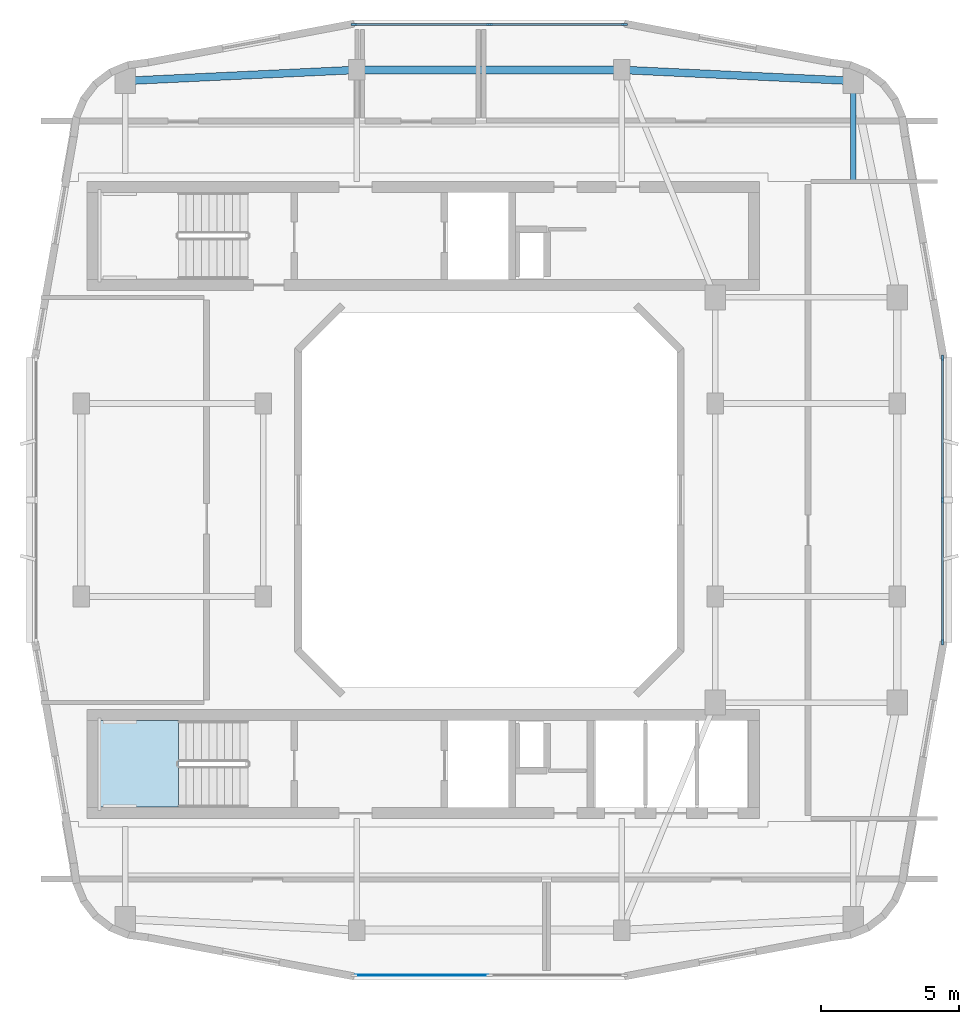
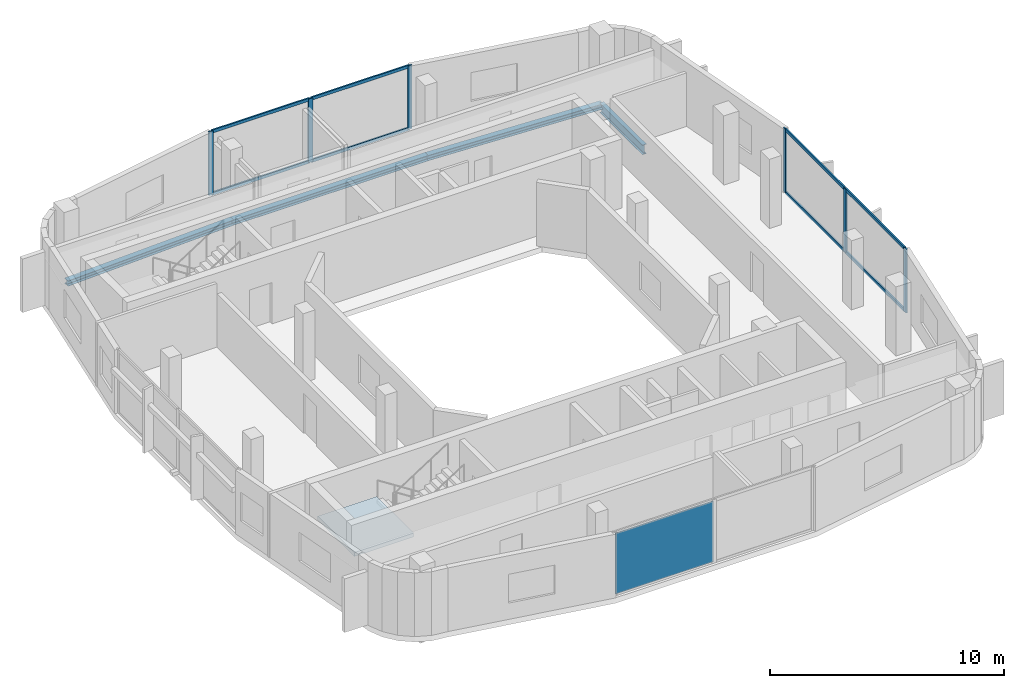
# One storey, part 2 of 8: 14 members, 4 beams, 1 plate, 1 slab, 4 elements without a shape of their own.
"""IFC4 building model written with IfcOpenShell, lengths in metres."""

from ifc_helpers import new_model, si_unit, derived_unit, direction, frame, origin, origin_2d, place, context, subcontext, project, spatial, polyline, rectangle, i_section, outline, extrude, material, layer, layer_set, material_profile, profile_set, type_object, element, aggregate, save


model = new_model("IFC4")

# Units and contexts
model_context = context("Model", 3, precision=1e-05, world=origin(), true_north=direction((0.0, 1.0)))
body_context = subcontext(model_context, "Body", "Model", "MODEL_VIEW")
ifc_project = project(units=[si_unit("LENGTHUNIT", "METRE"), si_unit("AREAUNIT", "SQUARE_METRE"), si_unit("VOLUMEUNIT", "CUBIC_METRE"), si_unit("PLANEANGLEUNIT", "RADIAN"), si_unit("MASSUNIT", "GRAM", prefix="KILO"), derived_unit("THERMALTRANSMITTANCEUNIT", [(si_unit("POWERUNIT", "WATT"), 1), (si_unit("LENGTHUNIT", "METRE"), -2), (si_unit("THERMODYNAMICTEMPERATUREUNIT", "KELVIN"), -1)])], contexts=[model_context])

# Site, building, storey
site_placement = place(None, origin())
site = spatial("IfcSite", under=ifc_project, at=site_placement, CompositionType="ELEMENT")
building_placement = place(site_placement, origin())
building = spatial("IfcBuilding", under=site, at=building_placement, Name="Kivonza Crest Hotel", CompositionType="ELEMENT")
storey_placement = place(building_placement, frame((0.0, 0.0, 268.39990234375)))
storey = spatial("IfcBuildingStorey", under=building, at=storey_placement, Name="L73", CompositionType="ELEMENT", Elevation=268.39990234375)

# Beams
ifc_material_1 = material(Name="Steel S355", Category="steel")
ifc_material_profile_1 = material_profile(ifc_material_1, i_section(OverallWidth=0.280029296875, OverallDepth=0.280029296875, WebThickness=0.010498046875, FlangeThickness=0.01806640625, FilletRadius=0.02392578125, at=origin_2d()), Name="HEB 280")
ifc_profile_set_1 = profile_set([ifc_material_profile_1], Name="Steel S355")
beam_type_1 = type_object("IfcBeamType", Name="BM-HEB280", PredefinedType="SPANDREL", material=ifc_profile_set_1)
beam_1_placement = place(storey_placement, frame((34.199951171875, 40.199951171875, -0.419921875), z_axis=(-0.998867283688, 0.047583080799, 0.0), x_axis=(-0.047583080799, -0.998867283688, 0.0)))
element("IfcBeam", 1, at=beam_1_placement, inside=storey, type_object=beam_type_1, Name="Tower T1 L73 perimeter spandrel NE-N2", PredefinedType="SPANDREL", context=body_context, shape_type="SweptSolid", body=[
    extrude(i_section(OverallWidth=0.280029296875, OverallDepth=0.280029296875, WebThickness=0.010498046875, FlangeThickness=0.01806640625, FilletRadius=0.02392578125, at=origin_2d()), origin(), (0.0, 0.0, 1.0), 8.409423828125),
])
beam_2_placement = place(storey_placement, frame((25.800048828125, 40.60009765625, -0.419921875), z_axis=(-1.0, 0.0, 0.0), x_axis=(0.0, -1.0, 0.0)))
element("IfcBeam", 2, at=beam_2_placement, inside=storey, type_object=beam_type_1, Name="Tower T1 L73 perimeter spandrel N2-N1", PredefinedType="SPANDREL", context=body_context, shape_type="SweptSolid", body=[
    extrude(i_section(OverallWidth=0.280029296875, OverallDepth=0.280029296875, WebThickness=0.010498046875, FlangeThickness=0.01806640625, FilletRadius=0.02392578125, at=origin_2d()), origin(), (0.0, 0.0, 1.0), 9.60009765625),
])
beam_3_placement = place(storey_placement, frame((16.199951171875, 40.60009765625, -0.419921875), z_axis=(-0.998867283688, -0.047583080799, 0.0), x_axis=(0.047583080799, -0.998867283688, 0.0)))
element("IfcBeam", 3, at=beam_3_placement, inside=storey, type_object=beam_type_1, Name="Tower T1 L73 perimeter spandrel N1-NW", PredefinedType="SPANDREL", context=body_context, shape_type="SweptSolid", body=[
    extrude(i_section(OverallWidth=0.280029296875, OverallDepth=0.280029296875, WebThickness=0.010498046875, FlangeThickness=0.01806640625, FilletRadius=0.02392578125, at=origin_2d()), origin(), (0.0, 0.0, 1.0), 8.409423828125),
])
ifc_material_profile_2 = material_profile(ifc_material_1, i_section(OverallWidth=0.199951171875, OverallDepth=0.5, WebThickness=0.01025390625, FlangeThickness=0.01611328125, FilletRadius=0.02099609375, at=origin_2d()), Name="IPE 500")
ifc_profile_set_2 = profile_set([ifc_material_profile_2], Name="Steel S355")
beam_type_2 = type_object("IfcBeamType", Name="BM-IPE500", PredefinedType="BEAM", material=ifc_profile_set_2)
beam_4_placement = place(storey_placement, frame((34.199951171875, 40.199951171875, -0.52978515625), z_axis=(0.0, -1.0, 0.0), x_axis=(1.0, 0.0, 0.0)))
element("IfcBeam", 4, at=beam_4_placement, inside=storey, type_object=beam_type_2, Name="Tower T1 L73 radial core girder RNE", PredefinedType="BEAM", context=body_context, shape_type="SweptSolid", body=[
    extrude(i_section(OverallWidth=0.199951171875, OverallDepth=0.5, WebThickness=0.01025390625, FlangeThickness=0.01611328125, FilletRadius=0.02099609375, at=origin_2d()), origin(), (0.0, 0.0, 1.0), 3.64990234375),
])

# Curtain wall, members
ifc_material_2 = material(Name="Anodised bronze aluminium and low-E double glazing", Category="aluminium")
ifc_layer_1 = layer(ifc_material_2, 0.199951171875)
ifc_layer_set_1 = layer_set([ifc_layer_1], Name="Anodised bronze aluminium and low-E double glazing")
curtain_wall_type = type_object("IfcCurtainWallType", Name="CW-SYS-6", PredefinedType="NOTDEFINED", material=ifc_layer_set_1)
curtain_wall_1_placement = place(storey_placement, origin())
curtain_wall_1 = element("IfcCurtainWall", 5, at=curtain_wall_1_placement, inside=storey, type_object=curtain_wall_type, Name="L73 unitised curtain wall CW-T1-L73-17", PredefinedType="NOTDEFINED")
ifc_material_3 = material(Name="Anodised bronze aluminium", Category="aluminium")
ifc_material_profile_3 = material_profile(ifc_material_3, rectangle(XDim=0.074951171875, YDim=0.219970703125, at=origin_2d()), Name="CW-M 75x220")
ifc_profile_set_3 = profile_set([ifc_material_profile_3], Name="Anodised bronze aluminium")
member_type_1 = type_object("IfcMemberType", Name="CW-MUL-75x220", PredefinedType="MULLION", material=ifc_profile_set_3)
member_1_placement = place(storey_placement, frame((37.43994140625, 19.857421875, 0.0), z_axis=(0.0, 0.0, 1.0), x_axis=(-1.0, 0.0, 0.0)))
member_1 = element("IfcMember", 6, at=member_1_placement, type_object=member_type_1, Name="CW-6 mullion 1", PredefinedType="MULLION", context=body_context, shape_type="SweptSolid", body=[
    extrude(rectangle(XDim=0.074951171875, YDim=0.219970703125, at=origin_2d()), origin(), (0.0, 0.0, 1.0), 3.320068359375),
])
member_2_placement = place(storey_placement, frame((37.43994140625, 25.0, 0.0), z_axis=(0.0, 0.0, 1.0), x_axis=(-1.0, 0.0, 0.0)))
member_2 = element("IfcMember", 7, at=member_2_placement, type_object=member_type_1, Name="CW-6 mullion 2", PredefinedType="MULLION", context=body_context, shape_type="SweptSolid", body=[
    extrude(rectangle(XDim=0.074951171875, YDim=0.219970703125, at=origin_2d()), origin(), (0.0, 0.0, 1.0), 3.320068359375),
])
member_3_placement = place(storey_placement, frame((37.43994140625, 30.142578125, 0.0), z_axis=(0.0, 0.0, 1.0), x_axis=(-1.0, 0.0, 0.0)))
member_3 = element("IfcMember", 8, at=member_3_placement, type_object=member_type_1, Name="CW-6 mullion 3", PredefinedType="MULLION", context=body_context, shape_type="SweptSolid", body=[
    extrude(rectangle(XDim=0.074951171875, YDim=0.219970703125, at=origin_2d()), origin(), (0.0, 0.0, 1.0), 3.320068359375),
])

curtain_wall_2_placement = place(storey_placement, origin())
curtain_wall_2 = element("IfcCurtainWall", 9, at=curtain_wall_2_placement, inside=storey, type_object=curtain_wall_type, Name="L73 unitised curtain wall CW-T1-L73-26", PredefinedType="NOTDEFINED")
member_4_placement = place(storey_placement, frame((25.902587890625, 42.239990234375, 0.0), z_axis=(0.0, 0.0, 1.0), x_axis=(0.0, -1.0, 0.0)))
member_4 = element("IfcMember", 10, at=member_4_placement, type_object=member_type_1, Name="CW-6 mullion 1", PredefinedType="MULLION", context=body_context, shape_type="SweptSolid", body=[
    extrude(rectangle(XDim=0.074951171875, YDim=0.219970703125, at=origin_2d()), origin(), (0.0, 0.0, 1.0), 3.320068359375),
])
member_5_placement = place(storey_placement, frame((21.0, 42.239990234375, 0.0), z_axis=(0.0, 0.0, 1.0), x_axis=(0.0, -1.0, 0.0)))
member_5 = element("IfcMember", 11, at=member_5_placement, type_object=member_type_1, Name="CW-6 mullion 2", PredefinedType="MULLION", context=body_context, shape_type="SweptSolid", body=[
    extrude(rectangle(XDim=0.074951171875, YDim=0.219970703125, at=origin_2d()), origin(), (0.0, 0.0, 1.0), 3.320068359375),
])
member_6_placement = place(storey_placement, frame((16.097412109375, 42.239990234375, 0.0), z_axis=(0.0, 0.0, 1.0), x_axis=(0.0, -1.0, 0.0)))
member_6 = element("IfcMember", 12, at=member_6_placement, type_object=member_type_1, Name="CW-6 mullion 3", PredefinedType="MULLION", context=body_context, shape_type="SweptSolid", body=[
    extrude(rectangle(XDim=0.074951171875, YDim=0.219970703125, at=origin_2d()), origin(), (0.0, 0.0, 1.0), 3.320068359375),
])

# Member
ifc_material_profile_4 = material_profile(ifc_material_3, rectangle(XDim=0.074951171875, YDim=0.159912109375, at=origin_2d()), Name="CW-T 75x160")
ifc_profile_set_4 = profile_set([ifc_material_profile_4], Name="Anodised bronze aluminium")
member_type_2 = type_object("IfcMemberType", Name="CW-TRN-75x160", PredefinedType="USERDEFINED", material=ifc_profile_set_4)
member_7_placement = place(storey_placement, frame((37.43994140625, 19.89501953125, 0.03759765625), z_axis=(0.0, 1.0, 0.0), x_axis=(-1.0, 0.0, 0.0)))
member_7 = element("IfcMember", 13, at=member_7_placement, type_object=member_type_2, Name="CW-6 transom 1.1", ObjectType="TRANSOM", PredefinedType="USERDEFINED", context=body_context, shape_type="SweptSolid", body=[
    extrude(rectangle(XDim=0.074951171875, YDim=0.159912109375, at=origin_2d()), origin(), (0.0, 0.0, 1.0), 5.0673828125),
])

member_8_placement = place(storey_placement, frame((37.43994140625, 19.89501953125, 3.28271484375), z_axis=(0.0, 1.0, 0.0), x_axis=(-1.0, 0.0, 0.0)))
member_8 = element("IfcMember", 14, at=member_8_placement, type_object=member_type_2, Name="CW-6 transom 1.2", ObjectType="TRANSOM", PredefinedType="USERDEFINED", context=body_context, shape_type="SweptSolid", body=[
    extrude(rectangle(XDim=0.074951171875, YDim=0.159912109375, at=origin_2d()), origin(), (0.0, 0.0, 1.0), 5.0673828125),
])

member_9_placement = place(storey_placement, frame((37.43994140625, 25.03759765625, 0.03759765625), z_axis=(0.0, 1.0, 0.0), x_axis=(-1.0, 0.0, 0.0)))
member_9 = element("IfcMember", 15, at=member_9_placement, type_object=member_type_2, Name="CW-6 transom 2.1", ObjectType="TRANSOM", PredefinedType="USERDEFINED", context=body_context, shape_type="SweptSolid", body=[
    extrude(rectangle(XDim=0.074951171875, YDim=0.159912109375, at=origin_2d()), origin(), (0.0, 0.0, 1.0), 5.0673828125),
])

member_10_placement = place(storey_placement, frame((37.43994140625, 25.03759765625, 3.28271484375), z_axis=(0.0, 1.0, 0.0), x_axis=(-1.0, 0.0, 0.0)))
member_10 = element("IfcMember", 16, at=member_10_placement, type_object=member_type_2, Name="CW-6 transom 2.2", ObjectType="TRANSOM", PredefinedType="USERDEFINED", context=body_context, shape_type="SweptSolid", body=[
    extrude(rectangle(XDim=0.074951171875, YDim=0.159912109375, at=origin_2d()), origin(), (0.0, 0.0, 1.0), 5.0673828125),
])

aggregate(curtain_wall_1, [member_1, member_2, member_3, member_7, member_8, member_9, member_10])

member_11_placement = place(storey_placement, frame((25.864990234375, 42.239990234375, 0.03759765625), z_axis=(-1.0, 0.0, 0.0), x_axis=(0.0, -1.0, 0.0)))
member_11 = element("IfcMember", 17, at=member_11_placement, type_object=member_type_2, Name="CW-6 transom 1.1", ObjectType="TRANSOM", PredefinedType="USERDEFINED", context=body_context, shape_type="SweptSolid", body=[
    extrude(rectangle(XDim=0.074951171875, YDim=0.159912109375, at=origin_2d()), origin(), (0.0, 0.0, 1.0), 4.827392578125),
])

member_12_placement = place(storey_placement, frame((25.864990234375, 42.239990234375, 3.28271484375), z_axis=(-1.0, 0.0, 0.0), x_axis=(0.0, -1.0, 0.0)))
member_12 = element("IfcMember", 18, at=member_12_placement, type_object=member_type_2, Name="CW-6 transom 1.2", ObjectType="TRANSOM", PredefinedType="USERDEFINED", context=body_context, shape_type="SweptSolid", body=[
    extrude(rectangle(XDim=0.074951171875, YDim=0.159912109375, at=origin_2d()), origin(), (0.0, 0.0, 1.0), 4.827392578125),
])

member_13_placement = place(storey_placement, frame((20.96240234375, 42.239990234375, 0.03759765625), z_axis=(-1.0, 0.0, 0.0), x_axis=(0.0, -1.0, 0.0)))
member_13 = element("IfcMember", 19, at=member_13_placement, type_object=member_type_2, Name="CW-6 transom 2.1", ObjectType="TRANSOM", PredefinedType="USERDEFINED", context=body_context, shape_type="SweptSolid", body=[
    extrude(rectangle(XDim=0.074951171875, YDim=0.159912109375, at=origin_2d()), origin(), (0.0, 0.0, 1.0), 4.827392578125),
])

member_14_placement = place(storey_placement, frame((20.96240234375, 42.239990234375, 3.28271484375), z_axis=(-1.0, 0.0, 0.0), x_axis=(0.0, -1.0, 0.0)))
member_14 = element("IfcMember", 20, at=member_14_placement, type_object=member_type_2, Name="CW-6 transom 2.2", ObjectType="TRANSOM", PredefinedType="USERDEFINED", context=body_context, shape_type="SweptSolid", body=[
    extrude(rectangle(XDim=0.074951171875, YDim=0.159912109375, at=origin_2d()), origin(), (0.0, 0.0, 1.0), 4.827392578125),
])

aggregate(curtain_wall_2, [member_4, member_5, member_6, member_11, member_12, member_13, member_14])

# Curtain wall, plate
curtain_wall_3_placement = place(storey_placement, origin())
curtain_wall_3 = element("IfcCurtainWall", 21, at=curtain_wall_3_placement, inside=storey, type_object=curtain_wall_type, Name="L73 unitised curtain wall CW-T1-L73-08", PredefinedType="NOTDEFINED")
ifc_material_4 = material(Name="Acoustic triple-laminated low-E glazing", Category="glass")
ifc_layer_2 = layer(ifc_material_4, 0.035888671875)
ifc_layer_set_2 = layer_set([ifc_layer_2], Name="Acoustic triple-laminated low-E glazing")
plate_type = type_object("IfcPlateType", Name="CW-PNL-36", PredefinedType="CURTAIN_PANEL", material=ifc_layer_set_2)
plate_placement = place(storey_placement, frame((18.548828125, 7.760009765625, 0.0751953125), z_axis=(0.0, 0.0, 1.0), x_axis=(1.0, 0.0, 0.0)))
plate = element("IfcPlate", 22, at=plate_placement, type_object=plate_type, Name="CW-6 panel 1.1", PredefinedType="CURTAIN_PANEL", context=body_context, shape_type="SweptSolid", body=[
    extrude(rectangle(XDim=4.827392578125, YDim=0.035888671875, at=origin_2d()), origin(), (0.0, 0.0, 1.0), 3.169921875),
])
aggregate(curtain_wall_3, [plate])

# Stair, slab
ifc_material_5 = material(Name="Concrete C40/50", Category="concrete")
stair_type = type_object("IfcStairType", Name="ST-DL-20R", PredefinedType="HALF_TURN_STAIR", material=ifc_material_5)
stair_placement = place(storey_placement, origin())
stair = element("IfcStair", 23, at=stair_placement, inside=storey, type_object=stair_type, Name="L73 Protected Exit Stair ST-T1-S", PredefinedType="HALF_TURN_STAIR")
ifc_layer_3 = layer(ifc_material_5, 0.199951171875)
ifc_layer_set_3 = layer_set([ifc_layer_3], Name="Concrete C40/50")
slab_type = type_object("IfcSlabType", Name="SL-LAND-200", PredefinedType="LANDING", material=ifc_layer_set_3)
slab_placement = place(storey_placement, frame((0.0, 0.0, 1.60009765625)))
slab = element("IfcSlab", 24, at=slab_placement, type_object=slab_type, Name="ST-T1-S landing 1", PredefinedType="LANDING", context=body_context, shape_type="SweptSolid", body=[
    extrude(outline(polyline([(9.719970703125, 17.0), (6.800048828125, 17.0), (6.800048828125, 13.860107421875), (9.719970703125, 13.860107421875), (9.719970703125, 17.0)])), origin(), (0.0, 0.0, 1.0), 0.199951171875),
])
aggregate(stair, [slab])

save(model, "model.ifc")
